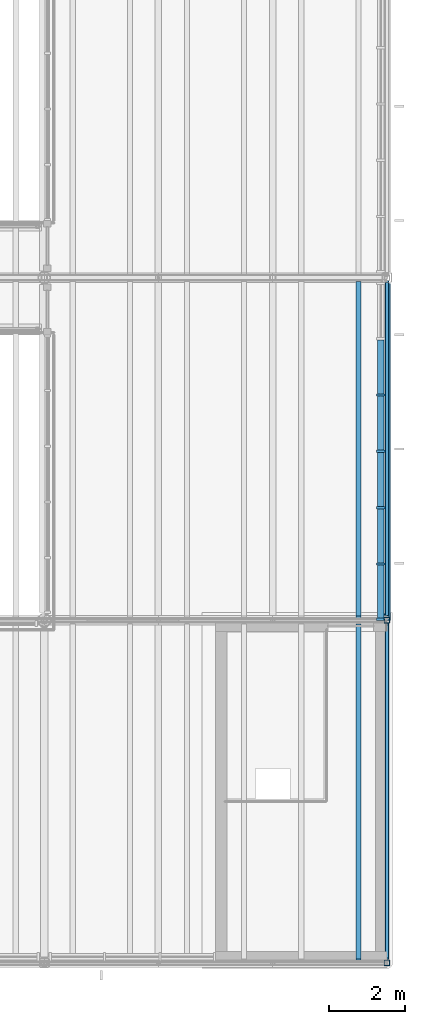
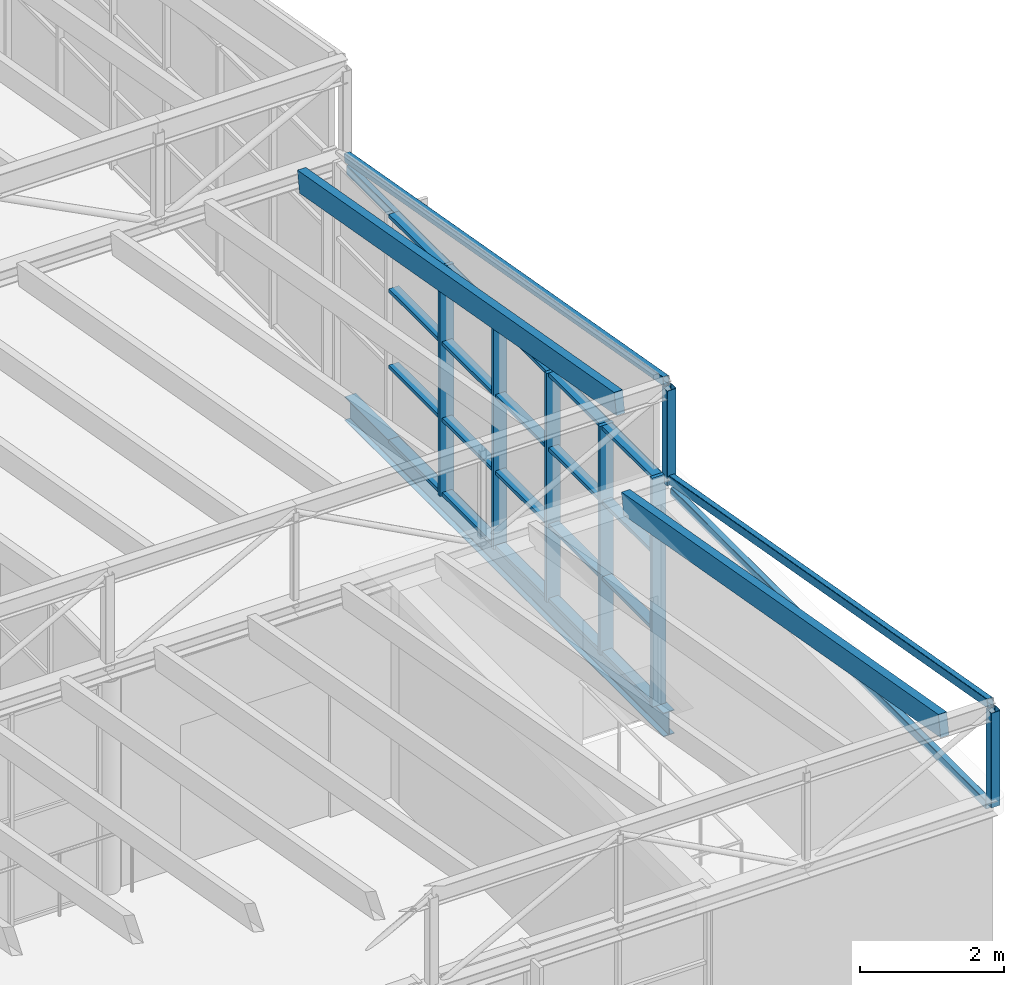
# One storey, part 21 of 44: 33 members, 1 beam, 1 element without a shape of its own.
"""IFC4 building model written with IfcOpenShell, lengths in metres."""

from ifc_helpers import new_model, si_unit, direction, frame, origin, origin_2d, place, context, subcontext, project, spatial, rectangle, hollow_rectangle, i_section, extrude, material, layer, layer_set, material_profile, profile_set, type_object, element, aggregate, save


model = new_model("IFC4")

# Units and contexts
model_context = context("Model", 3, precision=1e-05, world=origin(), true_north=direction((0.0, 1.0)))
body_context = subcontext(model_context, "Body", "Model", "MODEL_VIEW")
ifc_project = project(units=[si_unit("LENGTHUNIT", "METRE"), si_unit("AREAUNIT", "SQUARE_METRE"), si_unit("VOLUMEUNIT", "CUBIC_METRE"), si_unit("PLANEANGLEUNIT", "RADIAN"), si_unit("MASSUNIT", "GRAM", prefix="KILO")], contexts=[model_context])

# Site, building, storey
site_placement = place(None, origin())
site = spatial("IfcSite", under=ifc_project, at=site_placement, CompositionType="ELEMENT")
building_placement = place(site_placement, origin())
building = spatial("IfcBuilding", under=site, at=building_placement, Name="Halyard Row Museum", CompositionType="ELEMENT")
storey_placement = place(building_placement, frame((0.0, 0.0, 21.199951171875)))
storey = spatial("IfcBuildingStorey", under=building, at=storey_placement, Name="L04", CompositionType="ELEMENT", Elevation=21.199951171875)

# Curtain wall, members
ifc_material_1 = material(Name="Double glazed unit, low-emissivity", Category="glass")
ifc_layer = layer(ifc_material_1, 0.219970703125)
ifc_layer_set = layer_set([ifc_layer], Name="Double glazed unit, low-emissivity")
curtain_wall_type = type_object("IfcCurtainWallType", Name="Curtain wall unitised 220 deep", PredefinedType="NOTDEFINED", material=ifc_layer_set)
curtain_wall_placement = place(storey_placement, origin())
curtain_wall = element("IfcCurtainWall", 1, at=curtain_wall_placement, inside=storey, type_object=curtain_wall_type, Name="Curtain wall CW059", PredefinedType="NOTDEFINED")
ifc_material_2 = material(Name="Powder-coated aluminium section", Category="aluminium")
ifc_material_profile_1 = material_profile(ifc_material_2, rectangle(XDim=0.219970703125, YDim=0.06005859375, at=origin_2d()), Name="220x60 mullion")
ifc_profile_set_1 = profile_set([ifc_material_profile_1], Name="Powder-coated aluminium section")
member_type_1 = type_object("IfcMemberType", Name="Curtain wall mullion CM3 60 x 220", PredefinedType="MULLION", material=ifc_profile_set_1)
member_1_placement = place(storey_placement, frame((107.840087890625, 9.030029296875, 0.0), z_axis=(0.0, 0.0, 1.0), x_axis=(-1.0, 0.0, 0.0)))
member_1 = element("IfcMember", 2, at=member_1_placement, type_object=member_type_1, Name="CW059 mullion 1", PredefinedType="MULLION", context=body_context, shape_type="SweptSolid", body=[
    extrude(rectangle(XDim=0.219970703125, YDim=0.06005859375, at=origin_2d()), origin(), (0.0, 0.0, 1.0), 3.878173828125),
])
member_2_placement = place(storey_placement, frame((107.840087890625, 10.479248046875, 0.0), z_axis=(0.0, 0.0, 1.0), x_axis=(-1.0, 0.0, 0.0)))
member_2 = element("IfcMember", 3, at=member_2_placement, type_object=member_type_1, Name="CW059 mullion 2", PredefinedType="MULLION", context=body_context, shape_type="SweptSolid", body=[
    extrude(rectangle(XDim=0.219970703125, YDim=0.06005859375, at=origin_2d()), origin(), (0.0, 0.0, 1.0), 3.878173828125),
])
member_3_placement = place(storey_placement, frame((107.840087890625, 11.958251953125, 0.0), z_axis=(0.0, 0.0, 1.0), x_axis=(-1.0, 0.0, 0.0)))
member_3 = element("IfcMember", 4, at=member_3_placement, type_object=member_type_1, Name="CW059 mullion 3", PredefinedType="MULLION", context=body_context, shape_type="SweptSolid", body=[
    extrude(rectangle(XDim=0.219970703125, YDim=0.06005859375, at=origin_2d()), origin(), (0.0, 0.0, 1.0), 3.878173828125),
])
member_4_placement = place(storey_placement, frame((107.840087890625, 13.4375, 0.0), z_axis=(0.0, 0.0, 1.0), x_axis=(-1.0, 0.0, 0.0)))
member_4 = element("IfcMember", 5, at=member_4_placement, type_object=member_type_1, Name="CW059 mullion 4", PredefinedType="MULLION", context=body_context, shape_type="SweptSolid", body=[
    extrude(rectangle(XDim=0.219970703125, YDim=0.06005859375, at=origin_2d()), origin(), (0.0, 0.0, 1.0), 3.878173828125),
])
member_5_placement = place(storey_placement, frame((107.840087890625, 14.916748046875, 0.0), z_axis=(0.0, 0.0, 1.0), x_axis=(-1.0, 0.0, 0.0)))
member_5 = element("IfcMember", 6, at=member_5_placement, type_object=member_type_1, Name="CW059 mullion 5", PredefinedType="MULLION", context=body_context, shape_type="SweptSolid", body=[
    extrude(rectangle(XDim=0.219970703125, YDim=0.06005859375, at=origin_2d()), origin(), (0.0, 0.0, 1.0), 3.878173828125),
])
ifc_material_3 = material(Name="Powder-coated aluminium section", Category="aluminium")
ifc_material_profile_2 = material_profile(ifc_material_3, rectangle(XDim=0.159912109375, YDim=0.06005859375, at=origin_2d()), Name="160x60 transom")
ifc_profile_set_2 = profile_set([ifc_material_profile_2], Name="Powder-coated aluminium section")
member_type_2 = type_object("IfcMemberType", Name="Curtain wall transom CT3 60 x 160", PredefinedType="USERDEFINED", material=ifc_profile_set_2)
member_6_placement = place(storey_placement, frame((107.840087890625, 9.06005859375, 0.030029296875), z_axis=(0.0, 1.0, 0.0), x_axis=(-1.0, 0.0, 0.0)))
member_6 = element("IfcMember", 7, at=member_6_placement, type_object=member_type_2, Name="CW059 transom 1.1", ObjectType="TRANSOM", PredefinedType="USERDEFINED", context=body_context, shape_type="SweptSolid", body=[
    extrude(rectangle(XDim=0.159912109375, YDim=0.06005859375, at=origin_2d()), origin(), (0.0, 0.0, 1.0), 1.38916015625),
])
member_7_placement = place(storey_placement, frame((107.840087890625, 9.06005859375, 1.292724609375), z_axis=(0.0, 1.0, 0.0), x_axis=(-1.0, 0.0, 0.0)))
member_7 = element("IfcMember", 8, at=member_7_placement, type_object=member_type_2, Name="CW059 transom 1.2", ObjectType="TRANSOM", PredefinedType="USERDEFINED", context=body_context, shape_type="SweptSolid", body=[
    extrude(rectangle(XDim=0.159912109375, YDim=0.06005859375, at=origin_2d()), origin(), (0.0, 0.0, 1.0), 1.38916015625),
])
member_8_placement = place(storey_placement, frame((107.840087890625, 9.06005859375, 2.58544921875), z_axis=(0.0, 1.0, 0.0), x_axis=(-1.0, 0.0, 0.0)))
member_8 = element("IfcMember", 9, at=member_8_placement, type_object=member_type_2, Name="CW059 transom 1.3", ObjectType="TRANSOM", PredefinedType="USERDEFINED", context=body_context, shape_type="SweptSolid", body=[
    extrude(rectangle(XDim=0.159912109375, YDim=0.06005859375, at=origin_2d()), origin(), (0.0, 0.0, 1.0), 1.38916015625),
])
member_9_placement = place(storey_placement, frame((107.840087890625, 9.06005859375, 3.84814453125), z_axis=(0.0, 1.0, 0.0), x_axis=(-1.0, 0.0, 0.0)))
member_9 = element("IfcMember", 10, at=member_9_placement, type_object=member_type_2, Name="CW059 transom 1.4", ObjectType="TRANSOM", PredefinedType="USERDEFINED", context=body_context, shape_type="SweptSolid", body=[
    extrude(rectangle(XDim=0.159912109375, YDim=0.06005859375, at=origin_2d()), origin(), (0.0, 0.0, 1.0), 1.38916015625),
])
member_10_placement = place(storey_placement, frame((107.840087890625, 10.50927734375, 0.030029296875), z_axis=(0.0, 1.0, 0.0), x_axis=(-1.0, 0.0, 0.0)))
member_10 = element("IfcMember", 11, at=member_10_placement, type_object=member_type_2, Name="CW059 transom 2.1", ObjectType="TRANSOM", PredefinedType="USERDEFINED", context=body_context, shape_type="SweptSolid", body=[
    extrude(rectangle(XDim=0.159912109375, YDim=0.06005859375, at=origin_2d()), origin(), (0.0, 0.0, 1.0), 1.4189453125),
])
member_11_placement = place(storey_placement, frame((107.840087890625, 10.50927734375, 1.292724609375), z_axis=(0.0, 1.0, 0.0), x_axis=(-1.0, 0.0, 0.0)))
member_11 = element("IfcMember", 12, at=member_11_placement, type_object=member_type_2, Name="CW059 transom 2.2", ObjectType="TRANSOM", PredefinedType="USERDEFINED", context=body_context, shape_type="SweptSolid", body=[
    extrude(rectangle(XDim=0.159912109375, YDim=0.06005859375, at=origin_2d()), origin(), (0.0, 0.0, 1.0), 1.4189453125),
])
member_12_placement = place(storey_placement, frame((107.840087890625, 10.50927734375, 2.58544921875), z_axis=(0.0, 1.0, 0.0), x_axis=(-1.0, 0.0, 0.0)))
member_12 = element("IfcMember", 13, at=member_12_placement, type_object=member_type_2, Name="CW059 transom 2.3", ObjectType="TRANSOM", PredefinedType="USERDEFINED", context=body_context, shape_type="SweptSolid", body=[
    extrude(rectangle(XDim=0.159912109375, YDim=0.06005859375, at=origin_2d()), origin(), (0.0, 0.0, 1.0), 1.4189453125),
])
member_13_placement = place(storey_placement, frame((107.840087890625, 10.50927734375, 3.84814453125), z_axis=(0.0, 1.0, 0.0), x_axis=(-1.0, 0.0, 0.0)))
member_13 = element("IfcMember", 14, at=member_13_placement, type_object=member_type_2, Name="CW059 transom 2.4", ObjectType="TRANSOM", PredefinedType="USERDEFINED", context=body_context, shape_type="SweptSolid", body=[
    extrude(rectangle(XDim=0.159912109375, YDim=0.06005859375, at=origin_2d()), origin(), (0.0, 0.0, 1.0), 1.4189453125),
])
member_14_placement = place(storey_placement, frame((107.840087890625, 11.98828125, 0.030029296875), z_axis=(0.0, 1.0, 0.0), x_axis=(-1.0, 0.0, 0.0)))
member_14 = element("IfcMember", 15, at=member_14_placement, type_object=member_type_2, Name="CW059 transom 3.1", ObjectType="TRANSOM", PredefinedType="USERDEFINED", context=body_context, shape_type="SweptSolid", body=[
    extrude(rectangle(XDim=0.159912109375, YDim=0.06005859375, at=origin_2d()), origin(), (0.0, 0.0, 1.0), 1.419189453125),
])
member_15_placement = place(storey_placement, frame((107.840087890625, 11.98828125, 1.292724609375), z_axis=(0.0, 1.0, 0.0), x_axis=(-1.0, 0.0, 0.0)))
member_15 = element("IfcMember", 16, at=member_15_placement, type_object=member_type_2, Name="CW059 transom 3.2", ObjectType="TRANSOM", PredefinedType="USERDEFINED", context=body_context, shape_type="SweptSolid", body=[
    extrude(rectangle(XDim=0.159912109375, YDim=0.06005859375, at=origin_2d()), origin(), (0.0, 0.0, 1.0), 1.419189453125),
])
member_16_placement = place(storey_placement, frame((107.840087890625, 11.98828125, 2.58544921875), z_axis=(0.0, 1.0, 0.0), x_axis=(-1.0, 0.0, 0.0)))
member_16 = element("IfcMember", 17, at=member_16_placement, type_object=member_type_2, Name="CW059 transom 3.3", ObjectType="TRANSOM", PredefinedType="USERDEFINED", context=body_context, shape_type="SweptSolid", body=[
    extrude(rectangle(XDim=0.159912109375, YDim=0.06005859375, at=origin_2d()), origin(), (0.0, 0.0, 1.0), 1.419189453125),
])
member_17_placement = place(storey_placement, frame((107.840087890625, 11.98828125, 3.84814453125), z_axis=(0.0, 1.0, 0.0), x_axis=(-1.0, 0.0, 0.0)))
member_17 = element("IfcMember", 18, at=member_17_placement, type_object=member_type_2, Name="CW059 transom 3.4", ObjectType="TRANSOM", PredefinedType="USERDEFINED", context=body_context, shape_type="SweptSolid", body=[
    extrude(rectangle(XDim=0.159912109375, YDim=0.06005859375, at=origin_2d()), origin(), (0.0, 0.0, 1.0), 1.419189453125),
])
member_18_placement = place(storey_placement, frame((107.840087890625, 13.467529296875, 0.030029296875), z_axis=(0.0, 1.0, 0.0), x_axis=(-1.0, 0.0, 0.0)))
member_18 = element("IfcMember", 19, at=member_18_placement, type_object=member_type_2, Name="CW059 transom 4.1", ObjectType="TRANSOM", PredefinedType="USERDEFINED", context=body_context, shape_type="SweptSolid", body=[
    extrude(rectangle(XDim=0.159912109375, YDim=0.06005859375, at=origin_2d()), origin(), (0.0, 0.0, 1.0), 1.419189453125),
])
member_19_placement = place(storey_placement, frame((107.840087890625, 13.467529296875, 1.292724609375), z_axis=(0.0, 1.0, 0.0), x_axis=(-1.0, 0.0, 0.0)))
member_19 = element("IfcMember", 20, at=member_19_placement, type_object=member_type_2, Name="CW059 transom 4.2", ObjectType="TRANSOM", PredefinedType="USERDEFINED", context=body_context, shape_type="SweptSolid", body=[
    extrude(rectangle(XDim=0.159912109375, YDim=0.06005859375, at=origin_2d()), origin(), (0.0, 0.0, 1.0), 1.419189453125),
])
member_20_placement = place(storey_placement, frame((107.840087890625, 13.467529296875, 2.58544921875), z_axis=(0.0, 1.0, 0.0), x_axis=(-1.0, 0.0, 0.0)))
member_20 = element("IfcMember", 21, at=member_20_placement, type_object=member_type_2, Name="CW059 transom 4.3", ObjectType="TRANSOM", PredefinedType="USERDEFINED", context=body_context, shape_type="SweptSolid", body=[
    extrude(rectangle(XDim=0.159912109375, YDim=0.06005859375, at=origin_2d()), origin(), (0.0, 0.0, 1.0), 1.419189453125),
])
member_21_placement = place(storey_placement, frame((107.840087890625, 13.467529296875, 3.84814453125), z_axis=(0.0, 1.0, 0.0), x_axis=(-1.0, 0.0, 0.0)))
member_21 = element("IfcMember", 22, at=member_21_placement, type_object=member_type_2, Name="CW059 transom 4.4", ObjectType="TRANSOM", PredefinedType="USERDEFINED", context=body_context, shape_type="SweptSolid", body=[
    extrude(rectangle(XDim=0.159912109375, YDim=0.06005859375, at=origin_2d()), origin(), (0.0, 0.0, 1.0), 1.419189453125),
])
member_22_placement = place(storey_placement, frame((107.840087890625, 14.94677734375, 0.030029296875), z_axis=(0.0, 1.0, 0.0), x_axis=(-1.0, 0.0, 0.0)))
member_22 = element("IfcMember", 23, at=member_22_placement, type_object=member_type_2, Name="CW059 transom 5.1", ObjectType="TRANSOM", PredefinedType="USERDEFINED", context=body_context, shape_type="SweptSolid", body=[
    extrude(rectangle(XDim=0.159912109375, YDim=0.06005859375, at=origin_2d()), origin(), (0.0, 0.0, 1.0), 1.4189453125),
])
member_23_placement = place(storey_placement, frame((107.840087890625, 14.94677734375, 1.292724609375), z_axis=(0.0, 1.0, 0.0), x_axis=(-1.0, 0.0, 0.0)))
member_23 = element("IfcMember", 24, at=member_23_placement, type_object=member_type_2, Name="CW059 transom 5.2", ObjectType="TRANSOM", PredefinedType="USERDEFINED", context=body_context, shape_type="SweptSolid", body=[
    extrude(rectangle(XDim=0.159912109375, YDim=0.06005859375, at=origin_2d()), origin(), (0.0, 0.0, 1.0), 1.4189453125),
])
member_24_placement = place(storey_placement, frame((107.840087890625, 14.94677734375, 2.58544921875), z_axis=(0.0, 1.0, 0.0), x_axis=(-1.0, 0.0, 0.0)))
member_24 = element("IfcMember", 25, at=member_24_placement, type_object=member_type_2, Name="CW059 transom 5.3", ObjectType="TRANSOM", PredefinedType="USERDEFINED", context=body_context, shape_type="SweptSolid", body=[
    extrude(rectangle(XDim=0.159912109375, YDim=0.06005859375, at=origin_2d()), origin(), (0.0, 0.0, 1.0), 1.4189453125),
])
member_25_placement = place(storey_placement, frame((107.840087890625, 14.94677734375, 3.84814453125), z_axis=(0.0, 1.0, 0.0), x_axis=(-1.0, 0.0, 0.0)))
member_25 = element("IfcMember", 26, at=member_25_placement, type_object=member_type_2, Name="CW059 transom 5.4", ObjectType="TRANSOM", PredefinedType="USERDEFINED", context=body_context, shape_type="SweptSolid", body=[
    extrude(rectangle(XDim=0.159912109375, YDim=0.06005859375, at=origin_2d()), origin(), (0.0, 0.0, 1.0), 1.4189453125),
])
aggregate(curtain_wall, [member_1, member_2, member_3, member_4, member_5, member_6, member_7, member_8, member_9, member_10, member_11, member_12, member_13, member_14, member_15, member_16, member_17, member_18, member_19, member_20, member_21, member_22, member_23, member_24, member_25])

# Beam
ifc_material_4 = material(Name="Steel Grade 300", Category="steel")
ifc_material_profile_3 = material_profile(ifc_material_4, i_section(OverallWidth=0.177978515625, OverallDepth=0.402587890625, WebThickness=0.007568359375, FlangeThickness=0.010986328125, FilletRadius=0.011474609375, at=origin_2d()), Name="410UB53.7")
ifc_profile_set_3 = profile_set([ifc_material_profile_3], Name="Steel Grade 300")
beam_type = type_object("IfcBeamType", Name="Edge beam 410UB53.7", PredefinedType="BEAM", material=ifc_profile_set_3)
beam_placement = place(storey_placement, frame((108.0, 9.0, -0.3662109375), z_axis=(0.0, 1.0, 0.0), x_axis=(-1.0, 0.0, 0.0)))
element("IfcBeam", 27, at=beam_placement, inside=storey, type_object=beam_type, Name="Beam L04-031", PredefinedType="BEAM", context=body_context, shape_type="SweptSolid", body=[
    extrude(i_section(OverallWidth=0.177978515625, OverallDepth=0.402587890625, WebThickness=0.007568359375, FlangeThickness=0.010986328125, FilletRadius=0.011474609375, at=origin_2d()), origin(), (0.0, 0.0, 1.0), 8.85009765625),
])

# Members
ifc_material_5 = material(Name="Steel Grade C350L0", Category="steel")
ifc_material_profile_4 = material_profile(ifc_material_5, hollow_rectangle(XDim=0.10009765625, YDim=0.14990234375, WallThickness=0.006103515625, InnerFilletRadius=0.009033203125, OuterFilletRadius=0.014892578125, at=origin_2d()), Name="150x100x6.0RHS")
ifc_profile_set_4 = profile_set([ifc_material_profile_4], Name="Steel Grade C350L0")
member_type_3 = type_object("IfcMemberType", Name="Gable end chord 150x100x6.0RHS", PredefinedType="CHORD", material=ifc_profile_set_4)
member_26_placement = place(storey_placement, frame((108.0, 0.126953125, 3.647705078125), z_axis=(0.0, 1.0, 0.0), x_axis=(-1.0, 0.0, 0.0)))
element("IfcMember", 28, at=member_26_placement, inside=storey, type_object=member_type_3, Name="V2-GE1 eave chord", PredefinedType="CHORD", context=body_context, shape_type="SweptSolid", body=[
    extrude(hollow_rectangle(XDim=0.10009765625, YDim=0.14990234375, WallThickness=0.006103515625, InnerFilletRadius=0.009033203125, OuterFilletRadius=0.014892578125, at=origin_2d()), origin(), (0.0, 0.0, 1.0), 8.74609375),
])
member_27_placement = place(storey_placement, frame((108.0, 9.126953125, 3.647705078125), z_axis=(0.0, 1.0, 0.0), x_axis=(-1.0, 0.0, 0.0)))
element("IfcMember", 29, at=member_27_placement, inside=storey, type_object=member_type_3, Name="V2-GE2 eave chord", PredefinedType="CHORD", context=body_context, shape_type="SweptSolid", body=[
    extrude(hollow_rectangle(XDim=0.10009765625, YDim=0.14990234375, WallThickness=0.006103515625, InnerFilletRadius=0.009033203125, OuterFilletRadius=0.014892578125, at=origin_2d()), origin(), (0.0, 0.0, 1.0), 8.7451171875),
])
ifc_material_6 = material(Name="Steel Grade C350L0", Category="steel")
ifc_material_profile_5 = material_profile(ifc_material_6, hollow_rectangle(XDim=0.10009765625, YDim=0.14990234375, WallThickness=0.006103515625, InnerFilletRadius=0.009033203125, OuterFilletRadius=0.014892578125, at=origin_2d()), Name="150x100x6.0RHS")
ifc_profile_set_5 = profile_set([ifc_material_profile_5], Name="Steel Grade C350L0")
member_type_4 = type_object("IfcMemberType", Name="Gable end rafter 150x100x6.0RHS", PredefinedType="RAFTER", material=ifc_profile_set_5)
for number, where, z_axis, x_axis, name in (
    (30, (108.0, 0.074951171875, 5.390625), (0.0, 0.984559907364, -0.175047961461), (-1.0, 0.0, 0.0), "V2-GE1 raking rafter"),
    (31, (108.0, 9.074951171875, 5.390625), (0.0, 0.984559907364, -0.175047961461), (-1.0, 0.0, 0.0), "V2-GE2 raking rafter"),
):
    element("IfcMember", number, at=place(storey_placement, frame(where, z_axis=z_axis, x_axis=x_axis)), inside=storey, type_object=member_type_4, Name=name, PredefinedType="RAFTER", context=body_context, shape_type="SweptSolid", body=[
        extrude(hollow_rectangle(XDim=0.10009765625, YDim=0.14990234375, WallThickness=0.006103515625, InnerFilletRadius=0.009033203125, OuterFilletRadius=0.014892578125, at=origin_2d()), origin(), (0.0, 0.0, 1.0), 8.98876953125),
    ])
ifc_material_7 = material(Name="Glulam GL12 radiata pine", Category="wood")
ifc_material_profile_6 = material_profile(ifc_material_7, rectangle(XDim=0.135009765625, YDim=0.360107421875, at=origin_2d()), Name="GL12 135x360")
ifc_profile_set_6 = profile_set([ifc_material_profile_6], Name="Glulam GL12 radiata pine")
member_type_5 = type_object("IfcMemberType", Name="Rafter GL12 135x360", PredefinedType="RAFTER", material=ifc_profile_set_6)
member_28_placement = place(storey_placement, frame((107.25, 0.074462890625, 5.283935546875), z_axis=(0.0, 0.984562193919, -0.175035100209), x_axis=(-1.0, 0.0, 0.0)))
element("IfcMember", 32, at=member_28_placement, inside=storey, type_object=member_type_5, Name="Rafter V2-T1a.24", PredefinedType="RAFTER", context=body_context, shape_type="SweptSolid", body=[
    extrude(rectangle(XDim=0.135009765625, YDim=0.360107421875, at=origin_2d()), origin(), (0.0, 0.0, 1.0), 8.9365234375),
])
member_29_placement = place(storey_placement, frame((107.25, 9.074462890625, 5.283935546875), z_axis=(0.0, 0.984563554103, -0.17502744908), x_axis=(-1.0, 0.0, 0.0)))
element("IfcMember", 33, at=member_29_placement, inside=storey, type_object=member_type_5, Name="Rafter V2-T2c.6", PredefinedType="RAFTER", context=body_context, shape_type="SweptSolid", body=[
    extrude(rectangle(XDim=0.135009765625, YDim=0.360107421875, at=origin_2d()), origin(), (0.0, 0.0, 1.0), 8.935546875),
])
ifc_material_8 = material(Name="Steel Grade C350L0", Category="steel")
ifc_material_profile_7 = material_profile(ifc_material_8, hollow_rectangle(XDim=0.14990234375, YDim=0.14990234375, WallThickness=0.006103515625, InnerFilletRadius=0.009033203125, OuterFilletRadius=0.014892578125, at=origin_2d()), Name="150x150x6.0SHS")
ifc_profile_set_7 = profile_set([ifc_material_profile_7], Name="Steel Grade C350L0")
member_type_6 = type_object("IfcMemberType", Name="Valley truss post 150x150x6.0SHS", PredefinedType="POST", material=ifc_profile_set_7)
for number, where, z_axis, x_axis, name in (
    (34, (108.0, 0.0, 3.72705078125), (0.0, 0.0, 1.0), (1.0, 0.0, 0.0), "V2-VT1 post 4.3"),
    (35, (108.0, 9.0, 3.72705078125), (0.0, 0.0, 1.0), (1.0, 0.0, 0.0), "V2-VT2 post 4.3"),
):
    element("IfcMember", number, at=place(storey_placement, frame(where, z_axis=z_axis, x_axis=x_axis)), inside=storey, type_object=member_type_6, Name=name, PredefinedType="POST", context=body_context, shape_type="SweptSolid", body=[
        extrude(hollow_rectangle(XDim=0.14990234375, YDim=0.14990234375, WallThickness=0.006103515625, InnerFilletRadius=0.009033203125, OuterFilletRadius=0.014892578125, at=origin_2d()), origin(), (0.0, 0.0, 1.0), 1.60400390625),
    ])

save(model, "model.ifc")
